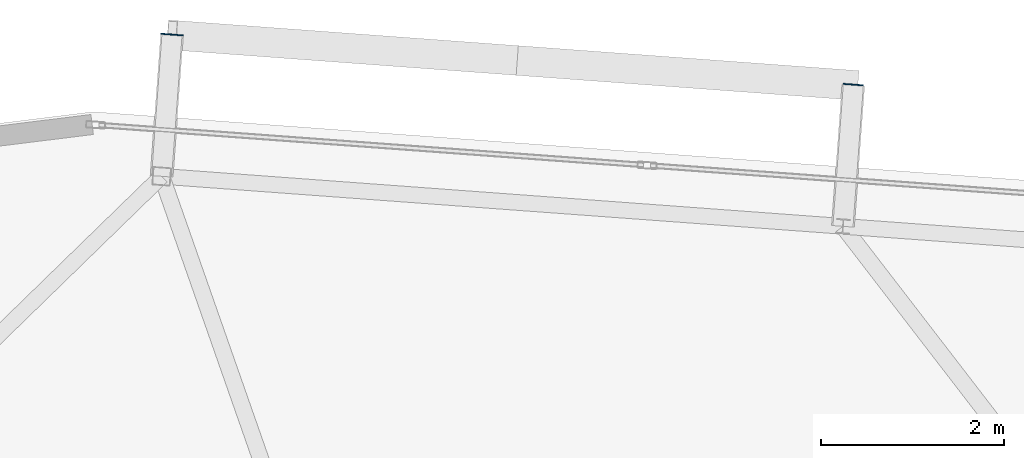
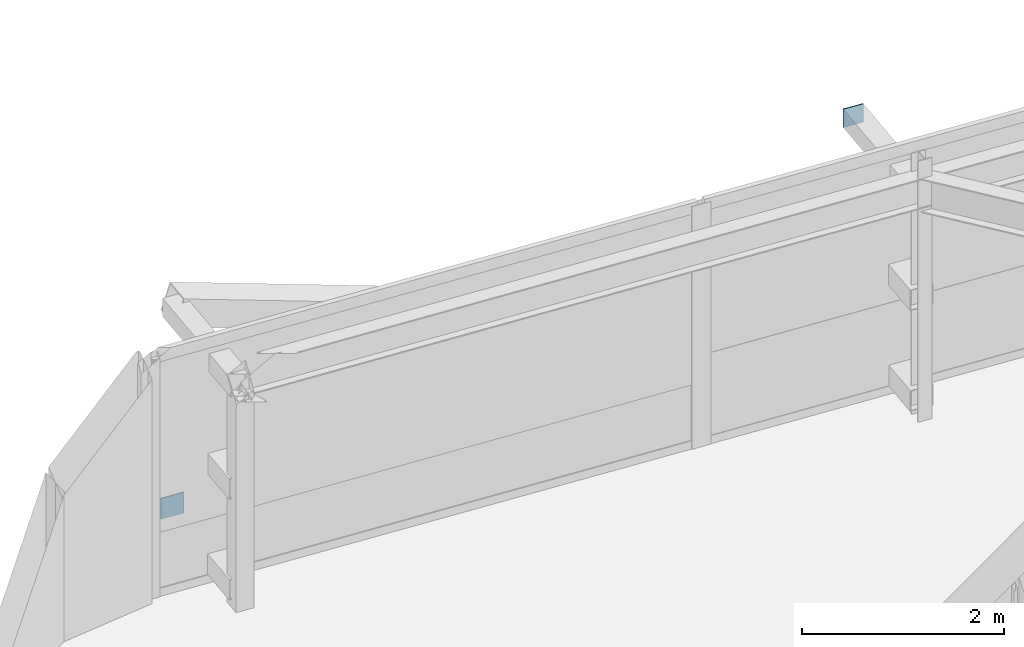
# One storey, part 30 of 36: 2 plates.
"""IFC4 building model written with IfcOpenShell, lengths in metres."""

from ifc_helpers import new_model, si_unit, direction, frame, origin, origin_2d, place, context, subcontext, project, spatial, rectangle, extrude, source, transform, mapped, material, layer, layer_set, type_object, element, save


model = new_model("IFC4")

# Units and contexts
model_context = context("Model", 3, precision=1e-05, world=origin(), true_north=direction((0.0, 1.0)))
body_context = subcontext(model_context, "Body", "Model", "MODEL_VIEW")
ifc_project = project(units=[si_unit("LENGTHUNIT", "METRE"), si_unit("AREAUNIT", "SQUARE_METRE"), si_unit("VOLUMEUNIT", "CUBIC_METRE"), si_unit("PLANEANGLEUNIT", "RADIAN"), si_unit("MASSUNIT", "GRAM", prefix="KILO")], contexts=[model_context])

# Site, building, storey
site_placement = place(None, origin())
site = spatial("IfcSite", under=ifc_project, at=site_placement, CompositionType="ELEMENT")
building_placement = place(site_placement, origin())
building = spatial("IfcBuilding", under=site, at=building_placement, Name="Taldren Reach Tower", CompositionType="ELEMENT")
storey_placement = place(building_placement, frame((0.0, 0.0, 227.14990234375)))
storey = spatial("IfcBuildingStorey", under=building, at=storey_placement, Name="L69", CompositionType="ELEMENT", Elevation=227.14990234375)

# Plates
ifc_material_1 = material(Name="Steel Gr 350 (C350L0)", Category="steel")
ifc_layer_1 = layer(ifc_material_1, 0.011962890625)
ifc_layer_set_1 = layer_set([ifc_layer_1], Name="Steel Gr 350 (C350L0)")
plate_type_1 = type_object("IfcPlateType", Name="PL-CAP-250", PredefinedType="SHEET", material=ifc_layer_set_1)
shared_shape_1 = source(origin(), body_context, "Body", "SweptSolid", [
    extrude(rectangle(XDim=0.25, YDim=0.011962890625, at=origin_2d()), origin(), (0.0, 0.0, 1.0), 0.25),
])
plate_1_placement = place(storey_placement, frame((17.4736328125, 38.230712890625, 0.09521484375), z_axis=(0.0, 0.0, 1.0), x_axis=(0.997314477224, -0.073238197128, 0.0)))
element("IfcPlate", 1, at=plate_1_placement, inside=storey, type_object=plate_type_1, Name="Tie strut end cap plate B5-N1 L69", PredefinedType="SHEET", context=body_context, shape_type="MappedRepresentation", body=[
    mapped(shared_shape_1, transform((0.0, 0.0, 0.0), scale=1.0)),
])
ifc_material_2 = material(Name="Steel Gr 450 (C450L0)", Category="steel")
ifc_layer_2 = layer(ifc_material_2, 0.011962890625)
ifc_layer_set_2 = layer_set([ifc_layer_2], Name="Steel Gr 450 (C450L0)")
plate_type_2 = type_object("IfcPlateType", Name="PL-CAP-220", PredefinedType="SHEET", material=ifc_layer_set_2)
shared_shape_2 = source(origin(), body_context, "Body", "SweptSolid", [
    extrude(rectangle(XDim=0.219970703125, YDim=0.011962890625, at=origin_2d()), origin(), (0.0, 0.0, 1.0), 0.219970703125),
])
plate_2_placement = place(storey_placement, frame((24.93359375, 37.682861328125, 2.5400390625), z_axis=(0.0, 0.0, 1.0), x_axis=(0.997314477224, -0.073238197128, 0.0)))
element("IfcPlate", 2, at=plate_2_placement, inside=storey, type_object=plate_type_2, Name="Tie strut end cap plate B5-N2 L69", PredefinedType="SHEET", context=body_context, shape_type="MappedRepresentation", body=[
    mapped(shared_shape_2, transform((0.0, 0.0, 0.0), scale=1.0)),
])

save(model, "model.ifc")
